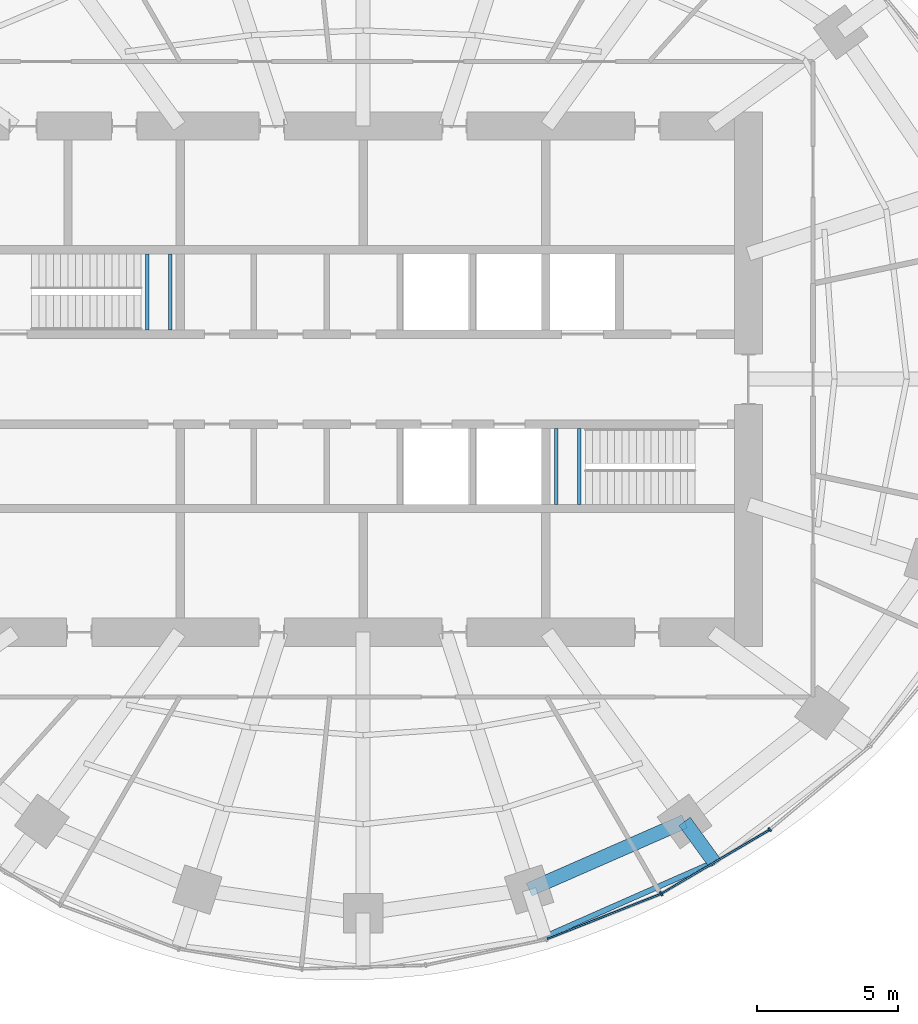
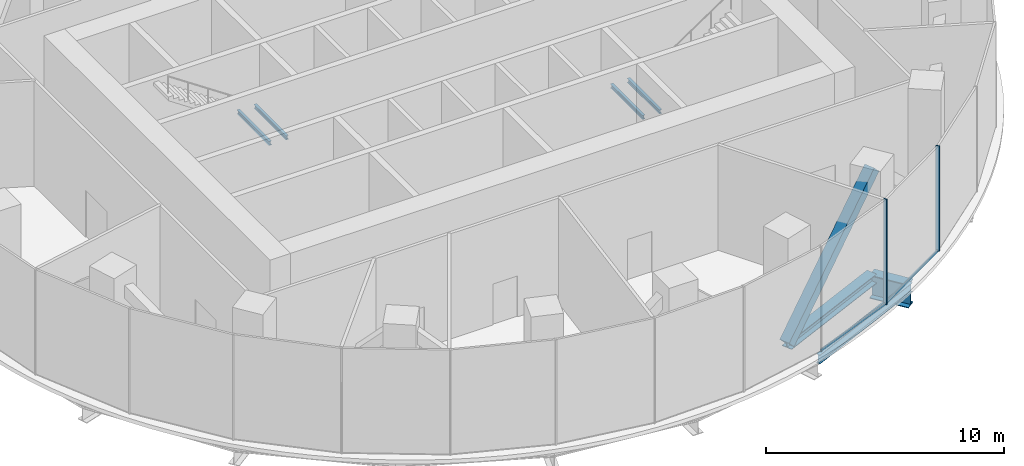
# One storey, part 5 of 13: 6 beams, 6 members, 2 elements without a shape of their own.
"""IFC4 building model written with IfcOpenShell, lengths in metres."""

from ifc_helpers import new_model, si_unit, direction, frame, origin, origin_2d, place, context, subcontext, project, spatial, rectangle, hollow_rectangle, i_section, extrude, material, material_profile, profile_set, type_object, element, aggregate, save


model = new_model("IFC4")

# Units and contexts
model_context = context("Model", 3, precision=1e-05, world=origin(), true_north=direction((0.0, 1.0)))
body_context = subcontext(model_context, "Body", "Model", "MODEL_VIEW")
ifc_project = project(units=[si_unit("LENGTHUNIT", "METRE"), si_unit("AREAUNIT", "SQUARE_METRE"), si_unit("VOLUMEUNIT", "CUBIC_METRE"), si_unit("PLANEANGLEUNIT", "RADIAN"), si_unit("MASSUNIT", "GRAM", prefix="KILO")], contexts=[model_context])

# Site, building, storey
site_placement = place(None, origin())
site = spatial("IfcSite", under=ifc_project, at=site_placement, CompositionType="ELEMENT")
building_placement = place(site_placement, origin())
building = spatial("IfcBuilding", under=site, at=building_placement, Name="Marramba Exchange Tower", CompositionType="ELEMENT")
storey_placement = place(building_placement, frame((0.0, 0.0, 246.199951171875)))
storey = spatial("IfcBuildingStorey", under=building, at=storey_placement, Name="L60", CompositionType="ELEMENT", Elevation=246.199951171875)

# Members
ifc_material_1 = material(Name="Steel AS/NZS 3679.2 grade 300", Category="steel")
ifc_material_profile_1 = material_profile(ifc_material_1, i_section(OverallWidth=0.5, OverallDepth=0.48388671875, WebThickness=0.02490234375, FlangeThickness=0.031982421875, at=origin_2d()), Name="500WC340")
ifc_profile_set_1 = profile_set([ifc_material_profile_1], Name="Steel AS/NZS 3679.2 grade 300")
member_type_1 = type_object("IfcMemberType", Name="Belt truss chord 500WC340", PredefinedType="CHORD", material=ifc_profile_set_1)
member_1_placement = place(storey_placement, frame((5.899658203125, -18.156982421875, -0.44189453125), z_axis=(0.915876892158, 0.4014592363, 0.0), x_axis=(-0.4014592363, 0.915876892158, 0.0)))
element("IfcMember", 1, at=member_1_placement, inside=storey, type_object=member_type_1, Name="Belt chord L60 TC17-TC18", PredefinedType="CHORD", context=body_context, shape_type="SweptSolid", body=[
    extrude(i_section(OverallWidth=0.5, OverallDepth=0.48388671875, WebThickness=0.02490234375, FlangeThickness=0.031982421875, at=origin_2d()), origin(), (0.0, 0.0, 1.0), 6.038818359375),
])
ifc_material_2 = material(Name="Steel AS/NZS 3678 grade 350", Category="steel")
ifc_material_profile_2 = material_profile(ifc_material_2, hollow_rectangle(XDim=0.5, YDim=0.5, WallThickness=0.031982421875, at=origin_2d()), Name="500x500x32BOX")
ifc_profile_set_2 = profile_set([ifc_material_profile_2], Name="Steel AS/NZS 3678 grade 350")
member_type_2 = type_object("IfcMemberType", Name="Belt truss diagonal 500x500x32BOX", PredefinedType="BRACE", material=ifc_profile_set_2)
member_2_placement = place(storey_placement, frame((5.899658203125, -18.156982421875, -0.44189453125), z_axis=(0.67156810861, 0.294370588792, 0.679957522168), x_axis=(-0.4014592363, 0.915876892158, 0.0)))
element("IfcMember", 2, at=member_2_placement, inside=storey, type_object=member_type_2, Name="Belt truss BT60 diagonal 17", PredefinedType="BRACE", context=body_context, shape_type="SweptSolid", body=[
    extrude(hollow_rectangle(XDim=0.5, YDim=0.5, WallThickness=0.031982421875, at=origin_2d()), origin(), (0.0, 0.0, 1.0), 8.235595703125),
])

# Beam
ifc_material_profile_3 = material_profile(ifc_material_1, i_section(OverallWidth=0.5, OverallDepth=1.199951171875, WebThickness=0.01611328125, FlangeThickness=0.0400390625, at=origin_2d()), Name="1200WB455")
ifc_profile_set_3 = profile_set([ifc_material_profile_3], Name="Steel AS/NZS 3679.2 grade 300")
beam_type_1 = type_object("IfcBeamType", Name="Cantilever girder 1200WB455", PredefinedType="BEAM", material=ifc_profile_set_3)
beam_1_placement = place(storey_placement, frame((11.430419921875, -15.732666015625, -0.800048828125), z_axis=(0.58783009415, -0.808984412959, 0.0), x_axis=(0.808984412959, 0.58783009415, 0.0)))
element("IfcBeam", 3, at=beam_1_placement, inside=storey, type_object=beam_type_1, Name="Cantilever girder L60 TC18", PredefinedType="BEAM", context=body_context, shape_type="SweptSolid", body=[
    extrude(i_section(OverallWidth=0.5, OverallDepth=1.199951171875, WebThickness=0.01611328125, FlangeThickness=0.0400390625, at=origin_2d()), origin(), (0.0, 0.0, 1.0), 1.78515625),
])

# Curtain wall, members
ifc_material_3 = material(Name="Aluminium framing, bronze anodised", Category="aluminium")
curtain_wall_type = type_object("IfcCurtainWallType", Name="Plant floor louvred curtain wall", PredefinedType="USERDEFINED", material=ifc_material_3)
curtain_wall_1_placement = place(storey_placement, origin())
curtain_wall_1 = element("IfcCurtainWall", 4, at=curtain_wall_1_placement, inside=storey, type_object=curtain_wall_type, Name="Curtain wall CW6 L60 F26-F30", ObjectType="RIBBON CURTAIN WALL", PredefinedType="USERDEFINED")
ifc_material_4 = material(Name="Aluminium mullion, bronze anodised", Category="aluminium")
ifc_material_profile_4 = material_profile(ifc_material_4, rectangle(XDim=0.159912109375, YDim=0.06005859375, at=origin_2d()), Name="CW6 mullion 60x160")
ifc_profile_set_4 = profile_set([ifc_material_profile_4], Name="Aluminium mullion, bronze anodised")
member_type_3 = type_object("IfcMemberType", Name="Plant floor louvred curtain wall mullion", PredefinedType="MULLION", material=ifc_profile_set_4)
member_3_placement = place(storey_placement, frame((10.60009765625, -18.2998046875, 0.0), z_axis=(0.0, 0.0, 1.0), x_axis=(-0.508010571686, 0.861350833897, 0.0)))
member_3 = element("IfcMember", 5, at=member_3_placement, type_object=member_type_3, Name="CW6 mullion 1", PredefinedType="MULLION", context=body_context, shape_type="SweptSolid", body=[
    extrude(rectangle(XDim=0.159912109375, YDim=0.06005859375, at=origin_2d()), origin(), (0.0, 0.0, 1.0), 5.400146484375),
])
member_4_placement = place(storey_placement, frame((14.461669921875, -16.0166015625, 0.0), z_axis=(0.0, 0.0, 1.0), x_axis=(-0.639565270127, 0.768736798421, 0.0)))
member_4 = element("IfcMember", 6, at=member_4_placement, type_object=member_type_3, Name="CW6 mullion 1", PredefinedType="MULLION", context=body_context, shape_type="SweptSolid", body=[
    extrude(rectangle(XDim=0.159912109375, YDim=0.06005859375, at=origin_2d()), origin(), (0.0, 0.0, 1.0), 5.400146484375),
])

# Curtain wall, member
curtain_wall_2_placement = place(storey_placement, origin())
curtain_wall_2 = element("IfcCurtainWall", 7, at=curtain_wall_2_placement, inside=storey, type_object=curtain_wall_type, Name="Curtain wall CW6 L60 F21-F25", ObjectType="RIBBON CURTAIN WALL", PredefinedType="USERDEFINED")
ifc_material_5 = material(Name="Aluminium transom, bronze anodised", Category="aluminium")
ifc_material_profile_5 = material_profile(ifc_material_5, rectangle(XDim=0.06005859375, YDim=0.1201171875, at=origin_2d()), Name="CW6 transom 60x120")
ifc_profile_set_5 = profile_set([ifc_material_profile_5], Name="Aluminium transom, bronze anodised")
member_type_4 = type_object("IfcMemberType", Name="Plant floor louvred curtain wall transom", PredefinedType="USERDEFINED", material=ifc_profile_set_5)
member_5_placement = place(storey_placement, frame((6.53271484375, -19.911376953125, 0.030029296875), z_axis=(0.930068344217, 0.367386547229, 0.0), x_axis=(-0.367386547229, 0.930068344217, 0.0)))
member_5 = element("IfcMember", 8, at=member_5_placement, type_object=member_type_4, Name="CW6 sill transom", ObjectType="TRANSOM", PredefinedType="USERDEFINED", context=body_context, shape_type="SweptSolid", body=[
    extrude(rectangle(XDim=0.06005859375, YDim=0.1201171875, at=origin_2d()), origin(), (0.0, 0.0, 1.0), 4.345458984375),
])
aggregate(curtain_wall_2, [member_5])

# Member
member_6_placement = place(storey_placement, frame((10.6259765625, -18.28466796875, 0.030029296875), z_axis=(0.861342387959, 0.508024891816, 0.0), x_axis=(-0.508024891816, 0.861342387959, 0.0)))
member_6 = element("IfcMember", 9, at=member_6_placement, type_object=member_type_4, Name="CW6 sill transom", ObjectType="TRANSOM", PredefinedType="USERDEFINED", context=body_context, shape_type="SweptSolid", body=[
    extrude(rectangle(XDim=0.06005859375, YDim=0.1201171875, at=origin_2d()), origin(), (0.0, 0.0, 1.0), 4.426513671875),
])

aggregate(curtain_wall_1, [member_3, member_6, member_4])

# Beams
ifc_material_6 = material(Name="Steel AS/NZS 3679.1 grade 300", Category="steel")
ifc_material_profile_6 = material_profile(ifc_material_6, i_section(OverallWidth=0.19091796875, OverallDepth=0.4599609375, WebThickness=0.010009765625, FlangeThickness=0.01611328125, FilletRadius=0.011474609375, at=origin_2d()), Name="460UB82.1")
ifc_profile_set_6 = profile_set([ifc_material_profile_6], Name="Steel AS/NZS 3679.1 grade 300")
beam_type_2 = type_object("IfcBeamType", Name="Slab edge beam 460UB82.1", PredefinedType="SPANDREL", material=ifc_profile_set_6)
beam_2_placement = place(storey_placement, frame((6.44580078125, -19.83837890625, -0.429931640625), z_axis=(0.914940719579, 0.403588255102, 0.0), x_axis=(-0.403588255102, 0.914940719579, 0.0)))
element("IfcBeam", 10, at=beam_2_placement, inside=storey, type_object=beam_type_2, Name="Slab edge beam L60 TC17-TC18", PredefinedType="SPANDREL", context=body_context, shape_type="SweptSolid", body=[
    extrude(i_section(OverallWidth=0.19091796875, OverallDepth=0.4599609375, WebThickness=0.010009765625, FlangeThickness=0.01611328125, FilletRadius=0.011474609375, at=origin_2d()), origin(), (0.0, 0.0, 1.0), 6.594970703125),
])
ifc_material_profile_7 = material_profile(ifc_material_6, i_section(OverallWidth=0.133056640625, OverallDepth=0.202880859375, WebThickness=0.005859375, FlangeThickness=0.0078125, FilletRadius=0.0087890625, at=origin_2d()), Name="200UB25.4")
ifc_profile_set_7 = profile_set([ifc_material_profile_7], Name="Steel AS/NZS 3679.1 grade 300")
beam_type_3 = type_object("IfcBeamType", Name="Stair landing beam 200UB25.4", PredefinedType="BEAM", material=ifc_profile_set_7)
for number, where, z_axis, x_axis, name in (
    (11, (-7.68359375, 1.75, 2.49853515625), (0.0, 1.0, 0.0), (-1.0, 0.0, 0.0), "Stair landing beam SLB1 ST1 L60 1"),
    (12, (-6.866455078125, 1.75, 2.49853515625), (0.0, 1.0, 0.0), (-1.0, 0.0, 0.0), "Stair landing beam SLB1 ST1 L60 2"),
    (13, (6.866455078125, -4.449951171875, 2.49853515625), (0.0, 1.0, 0.0), (-1.0, 0.0, 0.0), "Stair landing beam SLB1 ST2 L60 1"),
    (14, (7.68359375, -4.449951171875, 2.49853515625), (0.0, 1.0, 0.0), (-1.0, 0.0, 0.0), "Stair landing beam SLB1 ST2 L60 2"),
):
    element("IfcBeam", number, at=place(storey_placement, frame(where, z_axis=z_axis, x_axis=x_axis)), inside=storey, type_object=beam_type_3, Name=name, PredefinedType="BEAM", context=body_context, shape_type="SweptSolid", body=[
        extrude(i_section(OverallWidth=0.133056640625, OverallDepth=0.202880859375, WebThickness=0.005859375, FlangeThickness=0.0078125, FilletRadius=0.0087890625, at=origin_2d()), origin(), (0.0, 0.0, 1.0), 2.699951171875),
    ])

save(model, "model.ifc")
